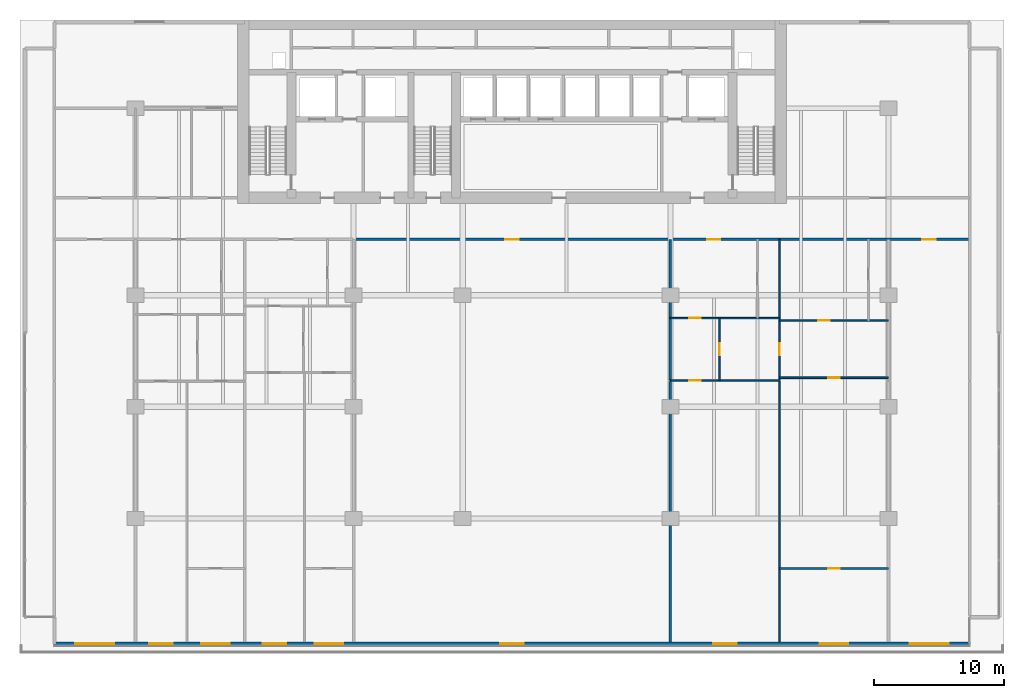
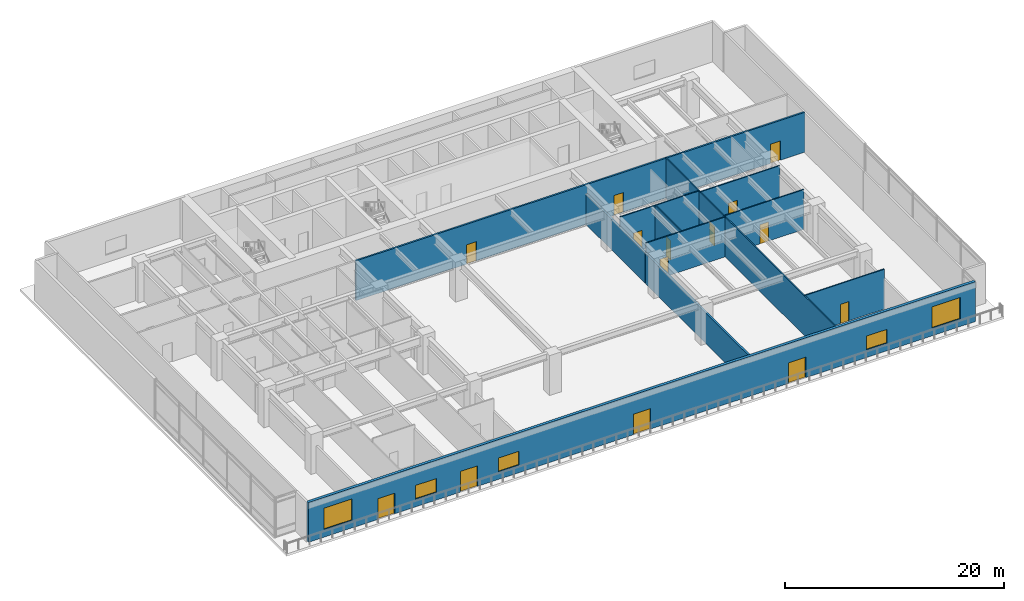
# One storey, part 7 of 13: 14 doors, 12 walls, 5 windows, 19 openings.
"""IFC4 building model written with IfcOpenShell, lengths in metres."""

from ifc_helpers import new_model, si_unit, direction, frame, frame_2d, origin, place, context, subcontext, project, spatial, rectangle, extrude, material, layer, layer_set, type_object, element, fill, save


model = new_model("IFC4")

# Units and contexts
model_context = context("Model", 3, precision=1e-05, world=origin(), true_north=direction((0.0, 1.0)))
body_context = subcontext(model_context, "Body", "Model", "MODEL_VIEW")
ifc_project = project(units=[si_unit("LENGTHUNIT", "METRE"), si_unit("AREAUNIT", "SQUARE_METRE"), si_unit("VOLUMEUNIT", "CUBIC_METRE"), si_unit("PLANEANGLEUNIT", "RADIAN"), si_unit("MASSUNIT", "GRAM", prefix="KILO")], contexts=[model_context])

# Site, building, storey
site_placement = place(None, origin())
site = spatial("IfcSite", under=ifc_project, at=site_placement, CompositionType="ELEMENT")
building_placement = place(site_placement, origin())
building = spatial("IfcBuilding", under=site, at=building_placement, Name="Caelmar Bay Residences", CompositionType="ELEMENT")
storey_placement = place(building_placement, frame((0.0, 0.0, 19.800048828125)))
storey = spatial("IfcBuildingStorey", under=building, at=storey_placement, Name="L04", CompositionType="ELEMENT", Elevation=19.800048828125)

# Wall, openings, doors
ifc_material_1 = material(Name="Double-stud acoustic fire-rated gypsum partition 180 mm")
ifc_layer_1 = layer(ifc_material_1, 0.179931640625)
ifc_layer_set_1 = layer_set([ifc_layer_1], Name="Double-stud acoustic fire-rated gypsum partition 180 mm")
wall_type_1 = type_object("IfcWallType", Name="W-COR-200", PredefinedType="PARTITIONING", material=ifc_layer_set_1)
wall_1_placement = place(storey_placement, frame((26.699951171875, 33.699951171875, 0.0), z_axis=(0.0, 0.0, 1.0), x_axis=(1.0, 0.0, 0.0)))
wall_1 = element("IfcWall", 1, at=wall_1_placement, inside=storey, type_object=wall_type_1, Name="L04 Partition Wall H061", PredefinedType="PARTITIONING", context=body_context, shape_type="SweptSolid", body=[
    extrude(rectangle(XDim=47.449951171875, YDim=0.179931640625, at=frame_2d((23.72509765625, 0.0))), origin(), (0.0, 0.0, 1.0), 4.449951171875),
])
opening_1_placement = place(wall_1_placement, frame((11.675048828125, 0.0, 0.0)))
opening_1 = element("IfcOpeningElement", 2, at=opening_1_placement, cuts=wall_1, Name="Opening D-L04-138", PredefinedType="OPENING", context=body_context, shape_type="SweptSolid", body=[
    extrude(rectangle(XDim=1.050048828125, YDim=2.14990234375, at=frame_2d((0.52490234375, 1.074951171875))), frame((0.0, 0.099853515625, 0.0), z_axis=(0.0, -1.0, 0.0), x_axis=(1.0, 0.0, 0.0)), (0.0, 0.0, 1.0), 0.199951171875),
])
opening_2_placement = place(wall_1_placement, frame((27.25, 0.0, 0.0)))
opening_2 = element("IfcOpeningElement", 3, at=opening_2_placement, cuts=wall_1, Name="Opening D-L04-139", PredefinedType="OPENING", context=body_context, shape_type="SweptSolid", body=[
    extrude(rectangle(XDim=1.0, YDim=2.199951171875, at=frame_2d((0.5, 1.10009765625))), frame((0.0, 0.099853515625, 0.0), z_axis=(0.0, -1.0, 0.0), x_axis=(1.0, 0.0, 0.0)), (0.0, 0.0, 1.0), 0.199951171875),
])
opening_3_placement = place(wall_1_placement, frame((43.800048828125, 0.0, 0.0)))
opening_3 = element("IfcOpeningElement", 4, at=opening_3_placement, cuts=wall_1, Name="Opening D-L04-149", PredefinedType="OPENING", context=body_context, shape_type="SweptSolid", body=[
    extrude(rectangle(XDim=1.050048828125, YDim=2.14990234375, at=frame_2d((0.52490234375, 1.074951171875))), frame((0.0, 0.099853515625, 0.0), z_axis=(0.0, -1.0, 0.0), x_axis=(1.0, 0.0, 0.0)), (0.0, 0.0, 1.0), 0.199951171875),
])
ifc_material_2 = material(Name="Fire-rated steel and walnut architectural door assembly", Category="steel")
ifc_layer_2 = layer(ifc_material_2, 0.050048828125)
ifc_layer_set_2 = layer_set([ifc_layer_2], Name="Fire-rated steel and walnut architectural door assembly")
door_type_1 = type_object("IfcDoorType", Name="D-FSAE-1050", OperationType="NOTDEFINED", PredefinedType="DOOR", material=ifc_layer_set_2)
door_1_placement = place(opening_1_placement, origin())
door_1 = element("IfcDoor", 5, at=door_1_placement, inside=storey, type_object=door_type_1, Name="L04 Podium Co-Working Gallery L04 Door", OperationType="SINGLE_SWING_RIGHT", OverallHeight=2.14990234375, OverallWidth=1.050048828125, PredefinedType="DOOR", context=body_context, shape_type="SweptSolid", body=[
    extrude(rectangle(XDim=1.050048828125, YDim=2.14990234375, at=frame_2d((0.52490234375, 1.074951171875))), frame((0.0, 0.02490234375, 0.0), z_axis=(0.0, -1.0, 0.0), x_axis=(1.0, 0.0, 0.0)), (0.0, 0.0, 1.0), 0.050048828125),
])
fill(opening_1, door_1)
door_2_placement = place(opening_3_placement, origin())
door_2 = element("IfcDoor", 6, at=door_2_placement, inside=storey, type_object=door_type_1, Name="L04 East Executive Study L04 Door", OperationType="SINGLE_SWING_LEFT", OverallHeight=2.14990234375, OverallWidth=1.050048828125, PredefinedType="DOOR", context=body_context, shape_type="SweptSolid", body=[
    extrude(rectangle(XDim=1.050048828125, YDim=2.14990234375, at=frame_2d((0.52490234375, 1.074951171875))), frame((0.0, 0.02490234375, 0.0), z_axis=(0.0, -1.0, 0.0), x_axis=(1.0, 0.0, 0.0)), (0.0, 0.0, 1.0), 0.050048828125),
])
fill(opening_3, door_2)
ifc_layer_3 = layer(ifc_material_2, 0.050048828125)
ifc_layer_set_3 = layer_set([ifc_layer_3], Name="Fire-rated steel and walnut architectural door assembly")
door_type_2 = type_object("IfcDoorType", Name="D-UNIT-1000", OperationType="NOTDEFINED", PredefinedType="DOOR", material=ifc_layer_set_3)
door_3_placement = place(opening_2_placement, origin())
door_3 = element("IfcDoor", 7, at=door_3_placement, inside=storey, type_object=door_type_2, Name="L04 Residence 4C Apartment Hall Door", OperationType="SINGLE_SWING_LEFT", OverallHeight=2.199951171875, OverallWidth=1.0, PredefinedType="DOOR", context=body_context, shape_type="SweptSolid", body=[
    extrude(rectangle(XDim=1.0, YDim=2.199951171875, at=frame_2d((0.5, 1.10009765625))), frame((0.0, 0.02490234375, 0.0), z_axis=(0.0, -1.0, 0.0), x_axis=(1.0, 0.0, 0.0)), (0.0, 0.0, 1.0), 0.050048828125),
])
fill(opening_2, door_3)

# Wall, openings, doors, windows
ifc_material_3 = material(Name="Precast concrete f'c 40 MPa (6,000 psi)", Category="concrete")
ifc_layer_4 = layer(ifc_material_3, 0.300048828125)
ifc_layer_set_4 = layer_set([ifc_layer_4], Name="Precast concrete f'c 40 MPa (6,000 psi)")
wall_type_2 = type_object("IfcWallType", Name="W-EXT-300", PredefinedType="STANDARD", material=ifc_layer_set_4)
wall_2_placement = place(storey_placement, frame((74.14990234375, 2.550048828125, 0.0), z_axis=(0.0, 0.0, 1.0), x_axis=(-1.0, 0.0, 0.0)))
wall_2 = element("IfcWall", 8, at=wall_2_placement, inside=storey, type_object=wall_type_2, Name="L04 South Bayfront Exterior Wall", PredefinedType="STANDARD", context=body_context, shape_type="SweptSolid", body=[
    extrude(rectangle(XDim=70.5, YDim=0.300048828125, at=frame_2d((35.25, 0.0))), origin(), (0.0, 0.0, 1.0), 4.449951171875),
])
opening_4_placement = place(wall_2_placement, frame((65.875, 0.0, 0.85009765625)))
opening_4 = element("IfcOpeningElement", 9, at=opening_4_placement, cuts=wall_2, Name="Opening WN4", PredefinedType="OPENING", context=body_context, shape_type="SweptSolid", body=[
    extrude(rectangle(XDim=3.0, YDim=2.39990234375, at=frame_2d((1.5, 1.199951171875))), frame((0.0, 0.159912109375, 0.0), z_axis=(0.0, -1.0, 0.0), x_axis=(1.0, 0.0, 0.0)), (0.0, 0.0, 1.0), 0.320068359375),
])
opening_5_placement = place(wall_2_placement, frame((61.3759765625, 0.0, 0.0)))
opening_5 = element("IfcOpeningElement", 10, at=opening_5_placement, cuts=wall_2, Name="Opening L04-TD01", PredefinedType="OPENING", context=body_context, shape_type="SweptSolid", body=[
    extrude(rectangle(XDim=1.800048828125, YDim=2.300048828125, at=frame_2d((0.89990234375, 1.14990234375))), frame((0.0, 0.159912109375, 0.0), z_axis=(0.0, -1.0, 0.0), x_axis=(1.0, 0.0, 0.0)), (0.0, 0.0, 1.0), 0.320068359375),
])
opening_6_placement = place(wall_2_placement, frame((56.97607421875, 0.0, 0.85009765625)))
opening_6 = element("IfcOpeningElement", 11, at=opening_6_placement, cuts=wall_2, Name="Opening WN2", PredefinedType="OPENING", context=body_context, shape_type="SweptSolid", body=[
    extrude(rectangle(XDim=2.199951171875, YDim=1.550048828125, at=frame_2d((1.10009765625, 0.77490234375))), frame((0.0, 0.159912109375, 0.0), z_axis=(0.0, -1.0, 0.0), x_axis=(1.0, 0.0, 0.0)), (0.0, 0.0, 1.0), 0.320068359375),
])
opening_7_placement = place(wall_2_placement, frame((52.639892578125, 0.0, 0.0)))
opening_7 = element("IfcOpeningElement", 12, at=opening_7_placement, cuts=wall_2, Name="Opening L04-TD02", PredefinedType="OPENING", context=body_context, shape_type="SweptSolid", body=[
    extrude(rectangle(XDim=1.800048828125, YDim=2.300048828125, at=frame_2d((0.89990234375, 1.14990234375))), frame((0.0, 0.159912109375, 0.0), z_axis=(0.0, -1.0, 0.0), x_axis=(1.0, 0.0, 0.0)), (0.0, 0.0, 1.0), 0.320068359375),
])
opening_8_placement = place(wall_2_placement, frame((48.239990234375, 0.0, 0.85009765625)))
opening_8 = element("IfcOpeningElement", 13, at=opening_8_placement, cuts=wall_2, Name="Opening WN2", PredefinedType="OPENING", context=body_context, shape_type="SweptSolid", body=[
    extrude(rectangle(XDim=2.199951171875, YDim=1.550048828125, at=frame_2d((1.10009765625, 0.77490234375))), frame((0.0, 0.159912109375, 0.0), z_axis=(0.0, -1.0, 0.0), x_axis=(1.0, 0.0, 0.0)), (0.0, 0.0, 1.0), 0.320068359375),
])
opening_9_placement = place(wall_2_placement, frame((34.35009765625, 0.0, 0.0)))
opening_9 = element("IfcOpeningElement", 14, at=opening_9_placement, cuts=wall_2, Name="Opening L04-TD03", PredefinedType="OPENING", context=body_context, shape_type="SweptSolid", body=[
    extrude(rectangle(XDim=1.800048828125, YDim=2.300048828125, at=frame_2d((0.89990234375, 1.14990234375))), frame((0.0, 0.159912109375, 0.0), z_axis=(0.0, -1.0, 0.0), x_axis=(1.0, 0.0, 0.0)), (0.0, 0.0, 1.0), 0.320068359375),
])
opening_10_placement = place(wall_2_placement, frame((17.949951171875, 0.0, 0.0)))
opening_10 = element("IfcOpeningElement", 15, at=opening_10_placement, cuts=wall_2, Name="Opening L04-TD04", PredefinedType="OPENING", context=body_context, shape_type="SweptSolid", body=[
    extrude(rectangle(XDim=1.800048828125, YDim=2.300048828125, at=frame_2d((0.89990234375, 1.14990234375))), frame((0.0, 0.159912109375, 0.0), z_axis=(0.0, -1.0, 0.0), x_axis=(1.0, 0.0, 0.0)), (0.0, 0.0, 1.0), 0.320068359375),
])
opening_11_placement = place(wall_2_placement, frame((9.35009765625, 0.0, 0.85009765625)))
opening_11 = element("IfcOpeningElement", 16, at=opening_11_placement, cuts=wall_2, Name="Opening WN2", PredefinedType="OPENING", context=body_context, shape_type="SweptSolid", body=[
    extrude(rectangle(XDim=2.199951171875, YDim=1.550048828125, at=frame_2d((1.10009765625, 0.77490234375))), frame((0.0, 0.159912109375, 0.0), z_axis=(0.0, -1.0, 0.0), x_axis=(1.0, 0.0, 0.0)), (0.0, 0.0, 1.0), 0.320068359375),
])
opening_12_placement = place(wall_2_placement, frame((1.625, 0.0, 0.85009765625)))
opening_12 = element("IfcOpeningElement", 17, at=opening_12_placement, cuts=wall_2, Name="Opening WN4", PredefinedType="OPENING", context=body_context, shape_type="SweptSolid", body=[
    extrude(rectangle(XDim=3.0, YDim=2.39990234375, at=frame_2d((1.5, 1.199951171875))), frame((0.0, 0.159912109375, 0.0), z_axis=(0.0, -1.0, 0.0), x_axis=(1.0, 0.0, 0.0)), (0.0, 0.0, 1.0), 0.320068359375),
])
ifc_material_4 = material(Name="Anodised bronze sliding terrace door")
ifc_layer_5 = layer(ifc_material_4, 0.050048828125)
ifc_layer_set_5 = layer_set([ifc_layer_5], Name="Anodised bronze sliding terrace door")
door_type_3 = type_object("IfcDoorType", Name="D-TER-1800", OperationType="DOUBLE_DOOR_SLIDING", PredefinedType="DOOR", material=ifc_layer_set_5)
door_4_placement = place(opening_5_placement, origin())
door_4 = element("IfcDoor", 18, at=door_4_placement, inside=storey, type_object=door_type_3, Name="L04 Podium Terrace Door", OperationType="DOUBLE_DOOR_SLIDING", OverallHeight=2.300048828125, OverallWidth=1.800048828125, PredefinedType="DOOR", context=body_context, shape_type="SweptSolid", body=[
    extrude(rectangle(XDim=1.800048828125, YDim=2.300048828125, at=frame_2d((0.89990234375, 1.14990234375))), frame((0.0, 0.02490234375, 0.0), z_axis=(0.0, -1.0, 0.0), x_axis=(1.0, 0.0, 0.0)), (0.0, 0.0, 1.0), 0.050048828125),
])
fill(opening_5, door_4)
door_5_placement = place(opening_7_placement, origin())
door_5 = element("IfcDoor", 19, at=door_5_placement, inside=storey, type_object=door_type_3, Name="L04 Podium Terrace Door", OperationType="DOUBLE_DOOR_SLIDING", OverallHeight=2.300048828125, OverallWidth=1.800048828125, PredefinedType="DOOR", context=body_context, shape_type="SweptSolid", body=[
    extrude(rectangle(XDim=1.800048828125, YDim=2.300048828125, at=frame_2d((0.89990234375, 1.14990234375))), frame((0.0, 0.02490234375, 0.0), z_axis=(0.0, -1.0, 0.0), x_axis=(1.0, 0.0, 0.0)), (0.0, 0.0, 1.0), 0.050048828125),
])
fill(opening_7, door_5)
door_6_placement = place(opening_9_placement, origin())
door_6 = element("IfcDoor", 20, at=door_6_placement, inside=storey, type_object=door_type_3, Name="L04 Podium Terrace Door", OperationType="DOUBLE_DOOR_SLIDING", OverallHeight=2.300048828125, OverallWidth=1.800048828125, PredefinedType="DOOR", context=body_context, shape_type="SweptSolid", body=[
    extrude(rectangle(XDim=1.800048828125, YDim=2.300048828125, at=frame_2d((0.89990234375, 1.14990234375))), frame((0.0, 0.02490234375, 0.0), z_axis=(0.0, -1.0, 0.0), x_axis=(1.0, 0.0, 0.0)), (0.0, 0.0, 1.0), 0.050048828125),
])
fill(opening_9, door_6)
door_7_placement = place(opening_10_placement, origin())
door_7 = element("IfcDoor", 21, at=door_7_placement, inside=storey, type_object=door_type_3, Name="L04 Podium Terrace Door", OperationType="DOUBLE_DOOR_SLIDING", OverallHeight=2.300048828125, OverallWidth=1.800048828125, PredefinedType="DOOR", context=body_context, shape_type="SweptSolid", body=[
    extrude(rectangle(XDim=1.800048828125, YDim=2.300048828125, at=frame_2d((0.89990234375, 1.14990234375))), frame((0.0, 0.02490234375, 0.0), z_axis=(0.0, -1.0, 0.0), x_axis=(1.0, 0.0, 0.0)), (0.0, 0.0, 1.0), 0.050048828125),
])
fill(opening_10, door_7)
ifc_material_5 = material(Name="Bronze aluminium frame with laminated low-E glass", Category="aluminium")
ifc_layer_6 = layer(ifc_material_5, 0.06005859375)
ifc_layer_set_6 = layer_set([ifc_layer_6], Name="Bronze aluminium frame with laminated low-E glass")
window_type_1 = type_object("IfcWindowType", Name="WIN-BR-2200", PartitioningType="SINGLE_PANEL", PredefinedType="WINDOW", material=ifc_layer_set_6)
window_1_placement = place(opening_6_placement, origin())
window_1 = element("IfcWindow", 22, at=window_1_placement, inside=storey, type_object=window_type_1, Name="L04 Residence 4A Primary Bedroom Window", OverallHeight=1.550048828125, OverallWidth=2.199951171875, PartitioningType="SINGLE_PANEL", PredefinedType="WINDOW", context=body_context, shape_type="SweptSolid", body=[
    extrude(rectangle(XDim=2.199951171875, YDim=1.550048828125, at=frame_2d((1.10009765625, 0.77490234375))), frame((0.0, 0.030029296875, 0.0), z_axis=(0.0, -1.0, 0.0), x_axis=(1.0, 0.0, 0.0)), (0.0, 0.0, 1.0), 0.06005859375),
])
fill(opening_6, window_1)
window_2_placement = place(opening_8_placement, origin())
window_2 = element("IfcWindow", 23, at=window_2_placement, inside=storey, type_object=window_type_1, Name="L04 Residence 4B Primary Bedroom Window", OverallHeight=1.550048828125, OverallWidth=2.199951171875, PartitioningType="SINGLE_PANEL", PredefinedType="WINDOW", context=body_context, shape_type="SweptSolid", body=[
    extrude(rectangle(XDim=2.199951171875, YDim=1.550048828125, at=frame_2d((1.10009765625, 0.77490234375))), frame((0.0, 0.030029296875, 0.0), z_axis=(0.0, -1.0, 0.0), x_axis=(1.0, 0.0, 0.0)), (0.0, 0.0, 1.0), 0.06005859375),
])
fill(opening_8, window_2)
window_3_placement = place(opening_11_placement, origin())
window_3 = element("IfcWindow", 24, at=window_3_placement, inside=storey, type_object=window_type_1, Name="L04 Residence 4C Primary Bedroom 1 Window", OverallHeight=1.550048828125, OverallWidth=2.199951171875, PartitioningType="SINGLE_PANEL", PredefinedType="WINDOW", context=body_context, shape_type="SweptSolid", body=[
    extrude(rectangle(XDim=2.199951171875, YDim=1.550048828125, at=frame_2d((1.10009765625, 0.77490234375))), frame((0.0, 0.030029296875, 0.0), z_axis=(0.0, -1.0, 0.0), x_axis=(1.0, 0.0, 0.0)), (0.0, 0.0, 1.0), 0.06005859375),
])
fill(opening_11, window_3)
ifc_layer_7 = layer(ifc_material_5, 0.06005859375)
ifc_layer_set_7 = layer_set([ifc_layer_7], Name="Bronze aluminium frame with laminated low-E glass")
window_type_2 = type_object("IfcWindowType", Name="WIN-POD-3000", PartitioningType="SINGLE_PANEL", PredefinedType="WINDOW", material=ifc_layer_set_7)
window_4_placement = place(opening_4_placement, origin())
window_4 = element("IfcWindow", 25, at=window_4_placement, inside=storey, type_object=window_type_2, Name="L04 West Concierge Office L04 Window", OverallHeight=2.39990234375, OverallWidth=3.0, PartitioningType="SINGLE_PANEL", PredefinedType="WINDOW", context=body_context, shape_type="SweptSolid", body=[
    extrude(rectangle(XDim=3.0, YDim=2.39990234375, at=frame_2d((1.5, 1.199951171875))), frame((0.0, 0.030029296875, 0.0), z_axis=(0.0, -1.0, 0.0), x_axis=(1.0, 0.0, 0.0)), (0.0, 0.0, 1.0), 0.06005859375),
])
fill(opening_4, window_4)
window_5_placement = place(opening_12_placement, origin())
window_5 = element("IfcWindow", 26, at=window_5_placement, inside=storey, type_object=window_type_2, Name="L04 East Executive Study L04 Window", OverallHeight=2.39990234375, OverallWidth=3.0, PartitioningType="SINGLE_PANEL", PredefinedType="WINDOW", context=body_context, shape_type="SweptSolid", body=[
    extrude(rectangle(XDim=3.0, YDim=2.39990234375, at=frame_2d((1.5, 1.199951171875))), frame((0.0, 0.030029296875, 0.0), z_axis=(0.0, -1.0, 0.0), x_axis=(1.0, 0.0, 0.0)), (0.0, 0.0, 1.0), 0.06005859375),
])
fill(opening_12, window_5)

# Wall, opening, door
ifc_material_6 = material(Name="Acoustic metal-stud gypsum partition 120 mm")
ifc_layer_8 = layer(ifc_material_6, 0.1201171875)
ifc_layer_set_8 = layer_set([ifc_layer_8], Name="Acoustic metal-stud gypsum partition 120 mm")
wall_type_3 = type_object("IfcWallType", Name="W-PRT-120", PredefinedType="PARTITIONING", material=ifc_layer_set_8)
wall_3_placement = place(storey_placement, frame((54.8798828125, 22.840087890625, 0.0), z_axis=(0.0, 0.0, 1.0), x_axis=(0.0, 1.0, 0.0)))
wall_3 = element("IfcWall", 27, at=wall_3_placement, inside=storey, type_object=wall_type_3, Name="L04 Partition Wall V038", PredefinedType="PARTITIONING", context=body_context, shape_type="SweptSolid", body=[
    extrude(rectangle(XDim=4.7998046875, YDim=0.1201171875, at=frame_2d((2.39990234375, 0.0))), origin(), (0.0, 0.0, 1.0), 4.449951171875),
])
opening_13_placement = place(wall_3_placement, frame((1.949951171875, 0.0, 0.0)))
opening_13 = element("IfcOpeningElement", 28, at=opening_13_placement, cuts=wall_3, Name="Opening D-L04-142", PredefinedType="OPENING", context=body_context, shape_type="SweptSolid", body=[
    extrude(rectangle(XDim=0.89990234375, YDim=2.14990234375, at=frame_2d((0.449951171875, 1.074951171875))), frame((0.0, 0.070068359375, 0.0), z_axis=(0.0, -1.0, 0.0), x_axis=(1.0, 0.0, 0.0)), (0.0, 0.0, 1.0), 0.14013671875),
])
ifc_material_7 = material(Name="Solid walnut timber interior door leaf and frame", Category="wood")
ifc_layer_9 = layer(ifc_material_7, 0.050048828125)
ifc_layer_set_9 = layer_set([ifc_layer_9], Name="Solid walnut timber interior door leaf and frame")
door_type_4 = type_object("IfcDoorType", Name="D-ROOM-900", OperationType="NOTDEFINED", PredefinedType="DOOR", material=ifc_layer_set_9)
door_8_placement = place(opening_13_placement, origin())
door_8 = element("IfcDoor", 29, at=door_8_placement, inside=storey, type_object=door_type_4, Name="L04 Residence 4C Kitchen Door", OperationType="SINGLE_SWING_RIGHT", OverallHeight=2.14990234375, OverallWidth=0.89990234375, PredefinedType="DOOR", context=body_context, shape_type="SweptSolid", body=[
    extrude(rectangle(XDim=0.89990234375, YDim=2.14990234375, at=frame_2d((0.449951171875, 1.074951171875))), frame((0.0, 0.02490234375, 0.0), z_axis=(0.0, -1.0, 0.0), x_axis=(1.0, 0.0, 0.0)), (0.0, 0.0, 1.0), 0.050048828125),
])
fill(opening_13, door_8)

# Wall
wall_4_placement = place(storey_placement, frame((59.5, 2.695068359375, 0.0), z_axis=(0.0, 0.0, 1.0), x_axis=(0.0, 1.0, 0.0)))
element("IfcWall", 30, at=wall_4_placement, inside=storey, type_object=wall_type_3, Name="L04 Partition Wall V042", PredefinedType="PARTITIONING", context=body_context, shape_type="SweptSolid", body=[
    extrude(rectangle(XDim=20.074951171875, YDim=0.1201171875, at=frame_2d((10.03759765625, 0.0))), origin(), (0.0, 0.0, 1.0), 4.449951171875),
])

# Wall, opening, door
wall_5_placement = place(storey_placement, frame((59.5, 22.840087890625, 0.0), z_axis=(0.0, 0.0, 1.0), x_axis=(0.0, 1.0, 0.0)))
wall_5 = element("IfcWall", 31, at=wall_5_placement, inside=storey, type_object=wall_type_3, Name="L04 Partition Wall V043", PredefinedType="PARTITIONING", context=body_context, shape_type="SweptSolid", body=[
    extrude(rectangle(XDim=10.85986328125, YDim=0.1201171875, at=frame_2d((5.429931640625, 0.0))), origin(), (0.0, 0.0, 1.0), 4.449951171875),
])
opening_14_placement = place(wall_5_placement, frame((1.949951171875, 0.0, 0.0)))
opening_14 = element("IfcOpeningElement", 32, at=opening_14_placement, cuts=wall_5, Name="Opening D-L04-144", PredefinedType="OPENING", context=body_context, shape_type="SweptSolid", body=[
    extrude(rectangle(XDim=0.89990234375, YDim=2.14990234375, at=frame_2d((0.449951171875, 1.074951171875))), frame((0.0, 0.070068359375, 0.0), z_axis=(0.0, -1.0, 0.0), x_axis=(1.0, 0.0, 0.0)), (0.0, 0.0, 1.0), 0.14013671875),
])
door_9_placement = place(opening_14_placement, origin())
door_9 = element("IfcDoor", 33, at=door_9_placement, inside=storey, type_object=door_type_4, Name="L04 Residence 4C Family Room 1 Door", OperationType="SINGLE_SWING_RIGHT", OverallHeight=2.14990234375, OverallWidth=0.89990234375, PredefinedType="DOOR", context=body_context, shape_type="SweptSolid", body=[
    extrude(rectangle(XDim=0.89990234375, YDim=2.14990234375, at=frame_2d((0.449951171875, 1.074951171875))), frame((0.0, 0.02490234375, 0.0), z_axis=(0.0, -1.0, 0.0), x_axis=(1.0, 0.0, 0.0)), (0.0, 0.0, 1.0), 0.050048828125),
])
fill(opening_14, door_9)

wall_6_placement = place(storey_placement, frame((59.5, 8.35009765625, 0.0), z_axis=(0.0, 0.0, 1.0), x_axis=(1.0, 0.0, 0.0)))
wall_6 = element("IfcWall", 34, at=wall_6_placement, inside=storey, type_object=wall_type_3, Name="L04 Partition Wall H051", PredefinedType="PARTITIONING", context=body_context, shape_type="SweptSolid", body=[
    extrude(rectangle(XDim=8.39990234375, YDim=0.1201171875, at=frame_2d((4.199951171875, 0.0))), origin(), (0.0, 0.0, 1.0), 4.449951171875),
])
opening_15_placement = place(wall_6_placement, frame((3.75, 0.0, 0.0)))
opening_15 = element("IfcOpeningElement", 35, at=opening_15_placement, cuts=wall_6, Name="Opening D-L04-148", PredefinedType="OPENING", context=body_context, shape_type="SweptSolid", body=[
    extrude(rectangle(XDim=0.89990234375, YDim=2.14990234375, at=frame_2d((0.449951171875, 1.074951171875))), frame((0.0, 0.070068359375, 0.0), z_axis=(0.0, -1.0, 0.0), x_axis=(1.0, 0.0, 0.0)), (0.0, 0.0, 1.0), 0.14013671875),
])
door_10_placement = place(opening_15_placement, origin())
door_10 = element("IfcDoor", 36, at=door_10_placement, inside=storey, type_object=door_type_4, Name="L04 Residence 4C Primary Bedroom 1 Door", OperationType="SINGLE_SWING_RIGHT", OverallHeight=2.14990234375, OverallWidth=0.89990234375, PredefinedType="DOOR", context=body_context, shape_type="SweptSolid", body=[
    extrude(rectangle(XDim=0.89990234375, YDim=2.14990234375, at=frame_2d((0.449951171875, 1.074951171875))), frame((0.0, 0.02490234375, 0.0), z_axis=(0.0, -1.0, 0.0), x_axis=(1.0, 0.0, 0.0)), (0.0, 0.0, 1.0), 0.050048828125),
])
fill(opening_15, door_10)

wall_7_placement = place(storey_placement, frame((51.10009765625, 22.840087890625, 0.0), z_axis=(0.0, 0.0, 1.0), x_axis=(1.0, 0.0, 0.0)))
wall_7 = element("IfcWall", 37, at=wall_7_placement, inside=storey, type_object=wall_type_3, Name="L04 Partition Wall H053", PredefinedType="PARTITIONING", context=body_context, shape_type="SweptSolid", body=[
    extrude(rectangle(XDim=8.39990234375, YDim=0.1201171875, at=frame_2d((4.199951171875, 0.0))), origin(), (0.0, 0.0, 1.0), 4.449951171875),
])
opening_16_placement = place(wall_7_placement, frame((1.43994140625, 0.0, 0.0)))
opening_16 = element("IfcOpeningElement", 38, at=opening_16_placement, cuts=wall_7, Name="Opening D-L04-143", PredefinedType="OPENING", context=body_context, shape_type="SweptSolid", body=[
    extrude(rectangle(XDim=0.89990234375, YDim=2.14990234375, at=frame_2d((0.449951171875, 1.074951171875))), frame((0.0, 0.070068359375, 0.0), z_axis=(0.0, -1.0, 0.0), x_axis=(1.0, 0.0, 0.0)), (0.0, 0.0, 1.0), 0.14013671875),
])
door_11_placement = place(opening_16_placement, origin())
door_11 = element("IfcDoor", 39, at=door_11_placement, inside=storey, type_object=door_type_4, Name="L04 Residence 4C Penthouse Living Salon Door", OperationType="SINGLE_SWING_LEFT", OverallHeight=2.14990234375, OverallWidth=0.89990234375, PredefinedType="DOOR", context=body_context, shape_type="SweptSolid", body=[
    extrude(rectangle(XDim=0.89990234375, YDim=2.14990234375, at=frame_2d((0.449951171875, 1.074951171875))), frame((0.0, 0.02490234375, 0.0), z_axis=(0.0, -1.0, 0.0), x_axis=(1.0, 0.0, 0.0)), (0.0, 0.0, 1.0), 0.050048828125),
])
fill(opening_16, door_11)

wall_8_placement = place(storey_placement, frame((59.5048828125, 23.0400390625, 0.0), z_axis=(0.0, 0.0, 1.0), x_axis=(1.0, 0.0, 0.0)))
wall_8 = element("IfcWall", 40, at=wall_8_placement, inside=storey, type_object=wall_type_3, Name="L04 Partition Wall H054", PredefinedType="PARTITIONING", context=body_context, shape_type="SweptSolid", body=[
    extrude(rectangle(XDim=8.39501953125, YDim=0.1201171875, at=frame_2d((4.197509765625, 0.0))), origin(), (0.0, 0.0, 1.0), 4.449951171875),
])
opening_17_placement = place(wall_8_placement, frame((3.74755859375, 0.0, 0.0)))
opening_17 = element("IfcOpeningElement", 41, at=opening_17_placement, cuts=wall_8, Name="Opening D-L04-147", PredefinedType="OPENING", context=body_context, shape_type="SweptSolid", body=[
    extrude(rectangle(XDim=0.89990234375, YDim=2.14990234375, at=frame_2d((0.449951171875, 1.074951171875))), frame((0.0, 0.070068359375, 0.0), z_axis=(0.0, -1.0, 0.0), x_axis=(1.0, 0.0, 0.0)), (0.0, 0.0, 1.0), 0.14013671875),
])
door_12_placement = place(opening_17_placement, origin())
door_12 = element("IfcDoor", 42, at=door_12_placement, inside=storey, type_object=door_type_4, Name="L04 Residence 4C Penthouse Sitting Salon 1 Door", OperationType="SINGLE_SWING_LEFT", OverallHeight=2.14990234375, OverallWidth=0.89990234375, PredefinedType="DOOR", context=body_context, shape_type="SweptSolid", body=[
    extrude(rectangle(XDim=0.89990234375, YDim=2.14990234375, at=frame_2d((0.449951171875, 1.074951171875))), frame((0.0, 0.02490234375, 0.0), z_axis=(0.0, -1.0, 0.0), x_axis=(1.0, 0.0, 0.0)), (0.0, 0.0, 1.0), 0.050048828125),
])
fill(opening_17, door_12)

wall_9_placement = place(storey_placement, frame((59.5, 27.43994140625, 0.0), z_axis=(0.0, 0.0, 1.0), x_axis=(1.0, 0.0, 0.0)))
wall_9 = element("IfcWall", 43, at=wall_9_placement, inside=storey, type_object=wall_type_3, Name="L04 Partition Wall H056", PredefinedType="PARTITIONING", context=body_context, shape_type="SweptSolid", body=[
    extrude(rectangle(XDim=8.39990234375, YDim=0.1201171875, at=frame_2d((4.199951171875, 0.0))), origin(), (0.0, 0.0, 1.0), 4.449951171875),
])
opening_18_placement = place(wall_9_placement, frame((2.98291015625, 0.0, 0.0)))
opening_18 = element("IfcOpeningElement", 44, at=opening_18_placement, cuts=wall_9, Name="Opening D-L04-145", PredefinedType="OPENING", context=body_context, shape_type="SweptSolid", body=[
    extrude(rectangle(XDim=0.89990234375, YDim=2.14990234375, at=frame_2d((0.449951171875, 1.074951171875))), frame((0.0, 0.070068359375, 0.0), z_axis=(0.0, -1.0, 0.0), x_axis=(1.0, 0.0, 0.0)), (0.0, 0.0, 1.0), 0.14013671875),
])
door_13_placement = place(opening_18_placement, origin())
door_13 = element("IfcDoor", 45, at=door_13_placement, inside=storey, type_object=door_type_4, Name="L04 Residence 4C Sitting Room 1 Door", OperationType="SINGLE_SWING_LEFT", OverallHeight=2.14990234375, OverallWidth=0.89990234375, PredefinedType="DOOR", context=body_context, shape_type="SweptSolid", body=[
    extrude(rectangle(XDim=0.89990234375, YDim=2.14990234375, at=frame_2d((0.449951171875, 1.074951171875))), frame((0.0, 0.02490234375, 0.0), z_axis=(0.0, -1.0, 0.0), x_axis=(1.0, 0.0, 0.0)), (0.0, 0.0, 1.0), 0.050048828125),
])
fill(opening_18, door_13)

wall_10_placement = place(storey_placement, frame((51.10009765625, 27.639892578125, 0.0), z_axis=(0.0, 0.0, 1.0), x_axis=(1.0, 0.0, 0.0)))
wall_10 = element("IfcWall", 46, at=wall_10_placement, inside=storey, type_object=wall_type_3, Name="L04 Partition Wall H057", PredefinedType="PARTITIONING", context=body_context, shape_type="SweptSolid", body=[
    extrude(rectangle(XDim=8.39501953125, YDim=0.1201171875, at=frame_2d((4.197509765625, 0.0))), origin(), (0.0, 0.0, 1.0), 4.449951171875),
])
opening_19_placement = place(wall_10_placement, frame((1.43994140625, 0.0, 0.0)))
opening_19 = element("IfcOpeningElement", 47, at=opening_19_placement, cuts=wall_10, Name="Opening D-L04-141", PredefinedType="OPENING", context=body_context, shape_type="SweptSolid", body=[
    extrude(rectangle(XDim=0.89990234375, YDim=2.14990234375, at=frame_2d((0.449951171875, 1.074951171875))), frame((0.0, 0.070068359375, 0.0), z_axis=(0.0, -1.0, 0.0), x_axis=(1.0, 0.0, 0.0)), (0.0, 0.0, 1.0), 0.14013671875),
])
door_14_placement = place(opening_19_placement, origin())
door_14 = element("IfcDoor", 48, at=door_14_placement, inside=storey, type_object=door_type_4, Name="L04 Residence 4C Dining Room Door", OperationType="SINGLE_SWING_LEFT", OverallHeight=2.14990234375, OverallWidth=0.89990234375, PredefinedType="DOOR", context=body_context, shape_type="SweptSolid", body=[
    extrude(rectangle(XDim=0.89990234375, YDim=2.14990234375, at=frame_2d((0.449951171875, 1.074951171875))), frame((0.0, 0.02490234375, 0.0), z_axis=(0.0, -1.0, 0.0), x_axis=(1.0, 0.0, 0.0)), (0.0, 0.0, 1.0), 0.050048828125),
])
fill(opening_19, door_14)

# Walls
ifc_material_8 = material(Name="Acoustic twin-stud fire-rated inter-tenancy partition 200 mm")
ifc_layer_10 = layer(ifc_material_8, 0.199951171875)
ifc_layer_set_10 = layer_set([ifc_layer_10], Name="Acoustic twin-stud fire-rated inter-tenancy partition 200 mm")
wall_type_4 = type_object("IfcWallType", Name="W-PTY-200", PredefinedType="PARTITIONING", material=ifc_layer_set_10)
wall_11_placement = place(storey_placement, frame((51.10009765625, 2.695068359375, 0.0), z_axis=(0.0, 0.0, 1.0), x_axis=(0.0, 1.0, 0.0)))
element("IfcWall", 49, at=wall_11_placement, inside=storey, type_object=wall_type_4, Name="L04 Partition Wall V034", PredefinedType="PARTITIONING", context=body_context, shape_type="SweptSolid", body=[
    extrude(rectangle(XDim=20.074951171875, YDim=0.199951171875, at=frame_2d((10.03759765625, 0.0))), origin(), (0.0, 0.0, 1.0), 3.4140625),
])
wall_12_placement = place(storey_placement, frame((51.10009765625, 22.840087890625, 0.0), z_axis=(0.0, 0.0, 1.0), x_axis=(0.0, 1.0, 0.0)))
element("IfcWall", 50, at=wall_12_placement, inside=storey, type_object=wall_type_4, Name="L04 Partition Wall V035", PredefinedType="PARTITIONING", context=body_context, shape_type="SweptSolid", body=[
    extrude(rectangle(XDim=10.85986328125, YDim=0.199951171875, at=frame_2d((5.429931640625, 0.0))), origin(), (0.0, 0.0, 1.0), 3.4140625),
])

save(model, "model.ifc")
